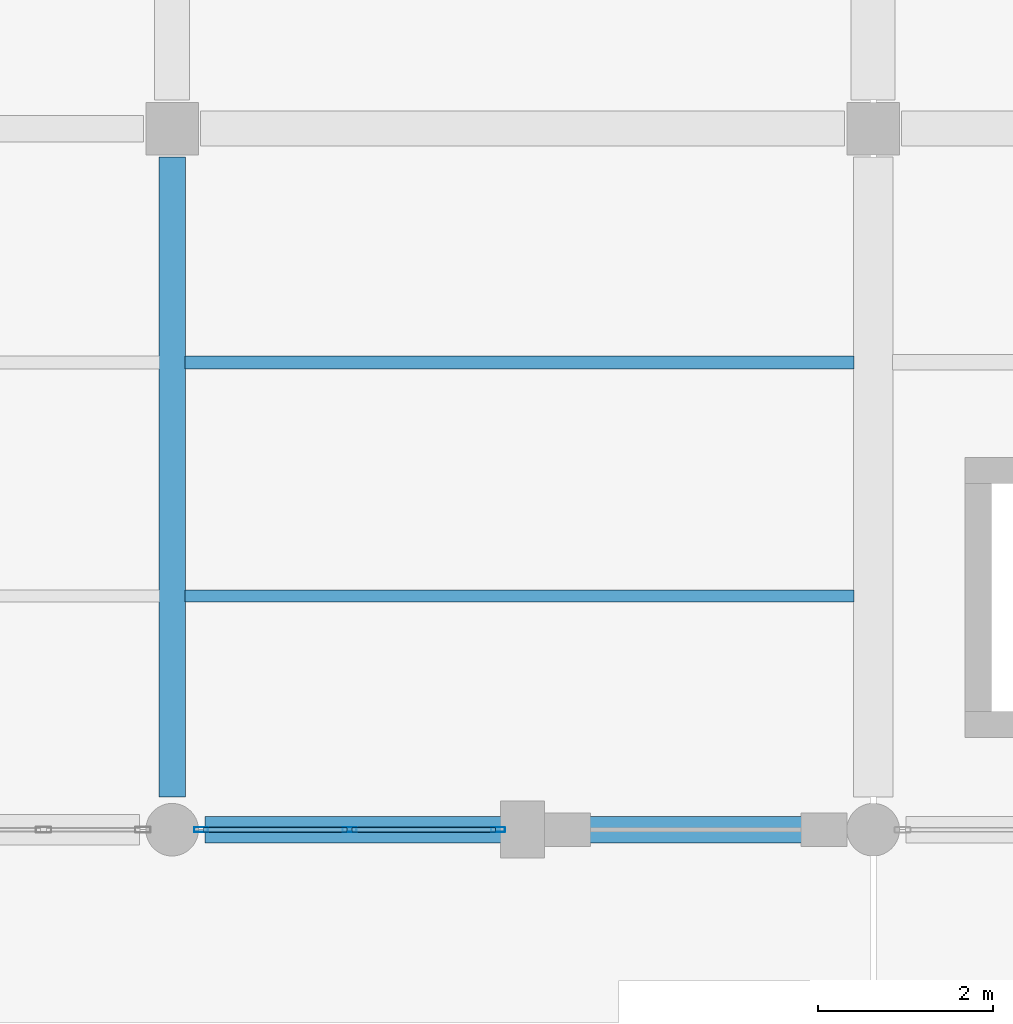
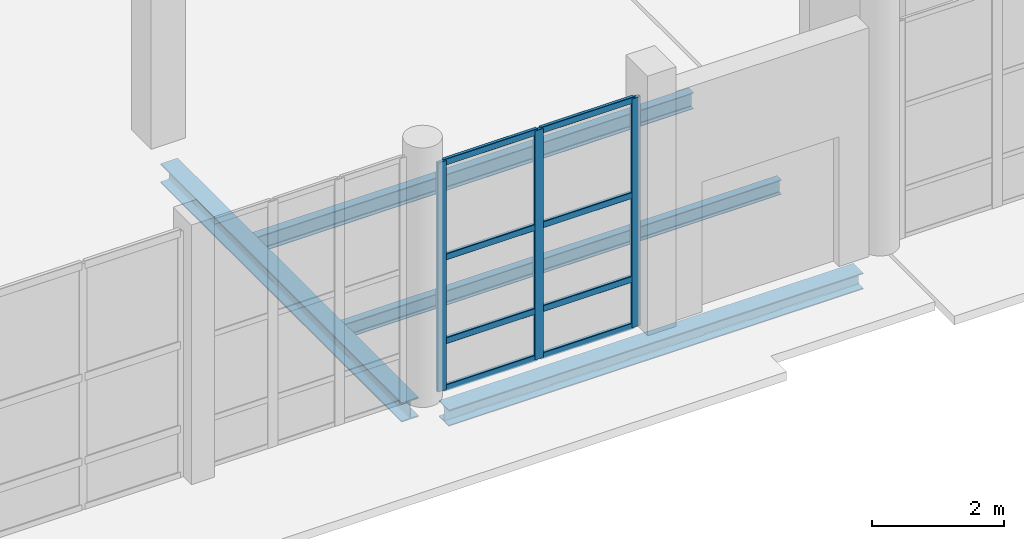
# One storey, part 42 of 156: 11 members, 4 beams, 1 element without a shape of its own.
"""IFC4 building model written with IfcOpenShell, lengths in metres."""

from ifc_helpers import new_model, si_unit, direction, frame, origin, origin_2d, place, context, subcontext, project, spatial, hollow_rectangle, i_section, extrude, material, material_profile, profile_set, type_object, element, aggregate, save


model = new_model("IFC4")

# Units and contexts
model_context = context("Model", 3, precision=1e-05, world=origin(), true_north=direction((0.0, 1.0)))
body_context = subcontext(model_context, "Body", "Model", "MODEL_VIEW")
ifc_project = project(units=[si_unit("LENGTHUNIT", "METRE"), si_unit("AREAUNIT", "SQUARE_METRE"), si_unit("VOLUMEUNIT", "CUBIC_METRE"), si_unit("PLANEANGLEUNIT", "RADIAN"), si_unit("MASSUNIT", "GRAM", prefix="KILO")], contexts=[model_context])

# Site, building, storey
site_placement = place(None, origin())
site = spatial("IfcSite", under=ifc_project, at=site_placement, CompositionType="ELEMENT")
building_placement = place(site_placement, origin())
building = spatial("IfcBuilding", under=site, at=building_placement, Name="Luwemba Playhouse", CompositionType="ELEMENT")
storey_placement = place(building_placement, origin())
storey = spatial("IfcBuildingStorey", under=building, at=storey_placement, Name="L00", CompositionType="ELEMENT", Elevation=0.0)

# Beams
ifc_material_1 = material(Name="Steel S355", Category="steel")
ifc_material_profile_1 = material_profile(ifc_material_1, i_section(OverallWidth=0.300048828125, OverallDepth=0.360107421875, WebThickness=0.012451171875, FlangeThickness=0.0224609375, FilletRadius=0.027099609375, at=origin_2d()))
ifc_profile_set_1 = profile_set([ifc_material_profile_1], Name="Steel S355")
beam_type_1 = type_object("IfcBeamType", Name="BM-SB09", PredefinedType="BEAM", material=ifc_profile_set_1)
beam_1_placement = place(storey_placement, frame((124.0, 3.375, -0.47998046875), z_axis=(0.0, 1.0, 0.0), x_axis=(-1.0, 0.0, 0.0)))
element("IfcBeam", 1, at=beam_1_placement, inside=storey, type_object=beam_type_1, Name="L00 transverse girder 0233", PredefinedType="BEAM", context=body_context, shape_type="SweptSolid", body=[
    extrude(i_section(OverallWidth=0.300048828125, OverallDepth=0.360107421875, WebThickness=0.012451171875, FlangeThickness=0.0224609375, FilletRadius=0.027099609375, at=origin_2d()), origin(), (0.0, 0.0, 1.0), 7.300048828125),
])
ifc_material_profile_2 = material_profile(ifc_material_1, i_section(OverallWidth=0.135009765625, OverallDepth=0.27001953125, WebThickness=0.006591796875, FlangeThickness=0.01025390625, FilletRadius=0.014892578125, at=origin_2d()))
ifc_profile_set_2 = profile_set([ifc_material_profile_2], Name="Steel S355")
beam_type_2 = type_object("IfcBeamType", Name="BM-SJ04", PredefinedType="JOIST", material=ifc_profile_set_2)
beam_2_placement = place(storey_placement, frame((124.14599609375, 5.666748046875, -0.43505859375), z_axis=(1.0, 0.0, 0.0), x_axis=(0.0, 1.0, 0.0)))
element("IfcBeam", 2, at=beam_2_placement, inside=storey, type_object=beam_type_2, Name="L00 composite floor joist 0162", PredefinedType="JOIST", context=body_context, shape_type="SweptSolid", body=[
    extrude(i_section(OverallWidth=0.135009765625, OverallDepth=0.27001953125, WebThickness=0.006591796875, FlangeThickness=0.01025390625, FilletRadius=0.014892578125, at=origin_2d()), origin(), (0.0, 0.0, 1.0), 7.633056640625),
])
ifc_material_profile_3 = material_profile(ifc_material_1, i_section(OverallWidth=0.14990234375, OverallDepth=0.300048828125, WebThickness=0.007080078125, FlangeThickness=0.0107421875, FilletRadius=0.014892578125, at=origin_2d()))
ifc_profile_set_3 = profile_set([ifc_material_profile_3], Name="Steel S355")
beam_type_3 = type_object("IfcBeamType", Name="BM-SJ05", PredefinedType="JOIST", material=ifc_profile_set_3)
beam_3_placement = place(storey_placement, frame((124.14599609375, 8.333251953125, -0.449951171875), z_axis=(1.0, 0.0, 0.0), x_axis=(0.0, 1.0, 0.0)))
element("IfcBeam", 3, at=beam_3_placement, inside=storey, type_object=beam_type_3, Name="L00 composite floor joist 0163", PredefinedType="JOIST", context=body_context, shape_type="SweptSolid", body=[
    extrude(i_section(OverallWidth=0.14990234375, OverallDepth=0.300048828125, WebThickness=0.007080078125, FlangeThickness=0.0107421875, FilletRadius=0.014892578125, at=origin_2d()), origin(), (0.0, 0.0, 1.0), 7.633056640625),
])
ifc_material_profile_4 = material_profile(ifc_material_1, i_section(OverallWidth=0.300048828125, OverallDepth=0.300048828125, WebThickness=0.010986328125, FlangeThickness=0.01904296875, FilletRadius=0.027099609375, at=origin_2d()))
ifc_profile_set_4 = profile_set([ifc_material_profile_4], Name="Steel S355")
beam_type_4 = type_object("IfcBeamType", Name="BM-SSP1", PredefinedType="SPANDREL", material=ifc_profile_set_4)
beam_4_placement = place(storey_placement, frame((124.375, 3.0, -0.449951171875), z_axis=(1.0, 0.0, 0.0), x_axis=(0.0, 1.0, 0.0)))
element("IfcBeam", 4, at=beam_4_placement, inside=storey, type_object=beam_type_4, Name="L00 grid girder 0203", PredefinedType="SPANDREL", context=body_context, shape_type="SweptSolid", body=[
    extrude(i_section(OverallWidth=0.300048828125, OverallDepth=0.300048828125, WebThickness=0.010986328125, FlangeThickness=0.01904296875, FilletRadius=0.027099609375, at=origin_2d()), origin(), (0.0, 0.0, 1.0), 7.25),
])

# Curtain wall, members
ifc_material_2 = material(Name="Solar-control double glazing", Category="glass")
curtain_wall_type = type_object("IfcCurtainWallType", Name="CW-CW15", PredefinedType="USERDEFINED", material=ifc_material_2)
curtain_wall_placement = place(storey_placement, origin())
curtain_wall = element("IfcCurtainWall", 5, at=curtain_wall_placement, inside=storey, type_object=curtain_wall_type, Name="L00 V5E unitised curtain wall 079", ObjectType="UNITISED GLAZING", PredefinedType="USERDEFINED")
ifc_material_3 = material(Name="Aluminium 6063-T6", Category="aluminium")
ifc_material_profile_5 = material_profile(ifc_material_3, hollow_rectangle(XDim=0.06005859375, YDim=0.159912109375, WallThickness=0.00390625, InnerFilletRadius=0.006103515625, OuterFilletRadius=0.010009765625, at=origin_2d()))
ifc_profile_set_5 = profile_set([ifc_material_profile_5], Name="Aluminium 6063-T6")
member_type_1 = type_object("IfcMemberType", Name="CWM-M1", PredefinedType="MULLION", material=ifc_profile_set_5)
member_1_placement = place(storey_placement, frame((127.719970703125, 3.0, 0.0), z_axis=(0.0, 0.0, 1.0), x_axis=(0.0, -1.0, 0.0)))
member_1 = element("IfcMember", 6, at=member_1_placement, type_object=member_type_1, Name="CW15 mullion 1", PredefinedType="MULLION", context=body_context, shape_type="SweptSolid", body=[
    extrude(hollow_rectangle(XDim=0.06005859375, YDim=0.159912109375, WallThickness=0.00390625, InnerFilletRadius=0.006103515625, OuterFilletRadius=0.010009765625, at=origin_2d()), origin(), (0.0, 0.0, 1.0), 4.235107421875),
])
member_2_placement = place(storey_placement, frame((126.02490234375, 3.0, 0.0), z_axis=(0.0, 0.0, 1.0), x_axis=(0.0, -1.0, 0.0)))
member_2 = element("IfcMember", 7, at=member_2_placement, type_object=member_type_1, Name="CW15 mullion 2", PredefinedType="MULLION", context=body_context, shape_type="SweptSolid", body=[
    extrude(hollow_rectangle(XDim=0.06005859375, YDim=0.159912109375, WallThickness=0.00390625, InnerFilletRadius=0.006103515625, OuterFilletRadius=0.010009765625, at=origin_2d()), origin(), (0.0, 0.0, 1.0), 4.235107421875),
])
member_3_placement = place(storey_placement, frame((124.330078125, 3.0, 0.0), z_axis=(0.0, 0.0, 1.0), x_axis=(0.0, -1.0, 0.0)))
member_3 = element("IfcMember", 8, at=member_3_placement, type_object=member_type_1, Name="CW15 mullion 3", PredefinedType="MULLION", context=body_context, shape_type="SweptSolid", body=[
    extrude(hollow_rectangle(XDim=0.06005859375, YDim=0.159912109375, WallThickness=0.00390625, InnerFilletRadius=0.006103515625, OuterFilletRadius=0.010009765625, at=origin_2d()), origin(), (0.0, 0.0, 1.0), 4.235107421875),
])
ifc_material_profile_6 = material_profile(ifc_material_3, hollow_rectangle(XDim=0.06005859375, YDim=0.1201171875, WallThickness=0.00390625, InnerFilletRadius=0.006103515625, OuterFilletRadius=0.010009765625, at=origin_2d()))
ifc_profile_set_6 = profile_set([ifc_material_profile_6], Name="Aluminium 6063-T6")
member_type_2 = type_object("IfcMemberType", Name="CWT-T1", PredefinedType="USERDEFINED", material=ifc_profile_set_6)
member_4_placement = place(storey_placement, frame((127.68994140625, 3.0, 0.030029296875), z_axis=(-1.0, 0.0, 0.0), x_axis=(0.0, -1.0, 0.0)))
member_4 = element("IfcMember", 9, at=member_4_placement, type_object=member_type_2, Name="CW15 transom 1.1", ObjectType="TRANSOM", PredefinedType="USERDEFINED", context=body_context, shape_type="SweptSolid", body=[
    extrude(hollow_rectangle(XDim=0.06005859375, YDim=0.1201171875, WallThickness=0.00390625, InnerFilletRadius=0.006103515625, OuterFilletRadius=0.010009765625, at=origin_2d()), origin(), (0.0, 0.0, 1.0), 1.635009765625),
])
member_5_placement = place(storey_placement, frame((127.68994140625, 3.0, 0.89990234375), z_axis=(-1.0, 0.0, 0.0), x_axis=(0.0, -1.0, 0.0)))
member_5 = element("IfcMember", 10, at=member_5_placement, type_object=member_type_2, Name="CW15 transom 1.2", ObjectType="TRANSOM", PredefinedType="USERDEFINED", context=body_context, shape_type="SweptSolid", body=[
    extrude(hollow_rectangle(XDim=0.06005859375, YDim=0.1201171875, WallThickness=0.00390625, InnerFilletRadius=0.006103515625, OuterFilletRadius=0.010009765625, at=origin_2d()), origin(), (0.0, 0.0, 1.0), 1.635009765625),
])
member_6_placement = place(storey_placement, frame((127.68994140625, 3.0, 2.449951171875), z_axis=(-1.0, 0.0, 0.0), x_axis=(0.0, -1.0, 0.0)))
member_6 = element("IfcMember", 11, at=member_6_placement, type_object=member_type_2, Name="CW15 transom 1.3", ObjectType="TRANSOM", PredefinedType="USERDEFINED", context=body_context, shape_type="SweptSolid", body=[
    extrude(hollow_rectangle(XDim=0.06005859375, YDim=0.1201171875, WallThickness=0.00390625, InnerFilletRadius=0.006103515625, OuterFilletRadius=0.010009765625, at=origin_2d()), origin(), (0.0, 0.0, 1.0), 1.635009765625),
])
member_7_placement = place(storey_placement, frame((127.68994140625, 3.0, 4.205078125), z_axis=(-1.0, 0.0, 0.0), x_axis=(0.0, -1.0, 0.0)))
member_7 = element("IfcMember", 12, at=member_7_placement, type_object=member_type_2, Name="CW15 transom 1.4", ObjectType="TRANSOM", PredefinedType="USERDEFINED", context=body_context, shape_type="SweptSolid", body=[
    extrude(hollow_rectangle(XDim=0.06005859375, YDim=0.1201171875, WallThickness=0.00390625, InnerFilletRadius=0.006103515625, OuterFilletRadius=0.010009765625, at=origin_2d()), origin(), (0.0, 0.0, 1.0), 1.635009765625),
])
member_8_placement = place(storey_placement, frame((125.9951171875, 3.0, 0.030029296875), z_axis=(-1.0, 0.0, 0.0), x_axis=(0.0, -1.0, 0.0)))
member_8 = element("IfcMember", 13, at=member_8_placement, type_object=member_type_2, Name="CW15 transom 2.1", ObjectType="TRANSOM", PredefinedType="USERDEFINED", context=body_context, shape_type="SweptSolid", body=[
    extrude(hollow_rectangle(XDim=0.06005859375, YDim=0.1201171875, WallThickness=0.00390625, InnerFilletRadius=0.006103515625, OuterFilletRadius=0.010009765625, at=origin_2d()), origin(), (0.0, 0.0, 1.0), 1.635009765625),
])
member_9_placement = place(storey_placement, frame((125.9951171875, 3.0, 0.89990234375), z_axis=(-1.0, 0.0, 0.0), x_axis=(0.0, -1.0, 0.0)))
member_9 = element("IfcMember", 14, at=member_9_placement, type_object=member_type_2, Name="CW15 transom 2.2", ObjectType="TRANSOM", PredefinedType="USERDEFINED", context=body_context, shape_type="SweptSolid", body=[
    extrude(hollow_rectangle(XDim=0.06005859375, YDim=0.1201171875, WallThickness=0.00390625, InnerFilletRadius=0.006103515625, OuterFilletRadius=0.010009765625, at=origin_2d()), origin(), (0.0, 0.0, 1.0), 1.635009765625),
])
member_10_placement = place(storey_placement, frame((125.9951171875, 3.0, 2.449951171875), z_axis=(-1.0, 0.0, 0.0), x_axis=(0.0, -1.0, 0.0)))
member_10 = element("IfcMember", 15, at=member_10_placement, type_object=member_type_2, Name="CW15 transom 2.3", ObjectType="TRANSOM", PredefinedType="USERDEFINED", context=body_context, shape_type="SweptSolid", body=[
    extrude(hollow_rectangle(XDim=0.06005859375, YDim=0.1201171875, WallThickness=0.00390625, InnerFilletRadius=0.006103515625, OuterFilletRadius=0.010009765625, at=origin_2d()), origin(), (0.0, 0.0, 1.0), 1.635009765625),
])
member_11_placement = place(storey_placement, frame((125.9951171875, 3.0, 4.205078125), z_axis=(-1.0, 0.0, 0.0), x_axis=(0.0, -1.0, 0.0)))
member_11 = element("IfcMember", 16, at=member_11_placement, type_object=member_type_2, Name="CW15 transom 2.4", ObjectType="TRANSOM", PredefinedType="USERDEFINED", context=body_context, shape_type="SweptSolid", body=[
    extrude(hollow_rectangle(XDim=0.06005859375, YDim=0.1201171875, WallThickness=0.00390625, InnerFilletRadius=0.006103515625, OuterFilletRadius=0.010009765625, at=origin_2d()), origin(), (0.0, 0.0, 1.0), 1.635009765625),
])
aggregate(curtain_wall, [member_1, member_2, member_3, member_4, member_5, member_6, member_7, member_8, member_9, member_10, member_11])

save(model, "model.ifc")
